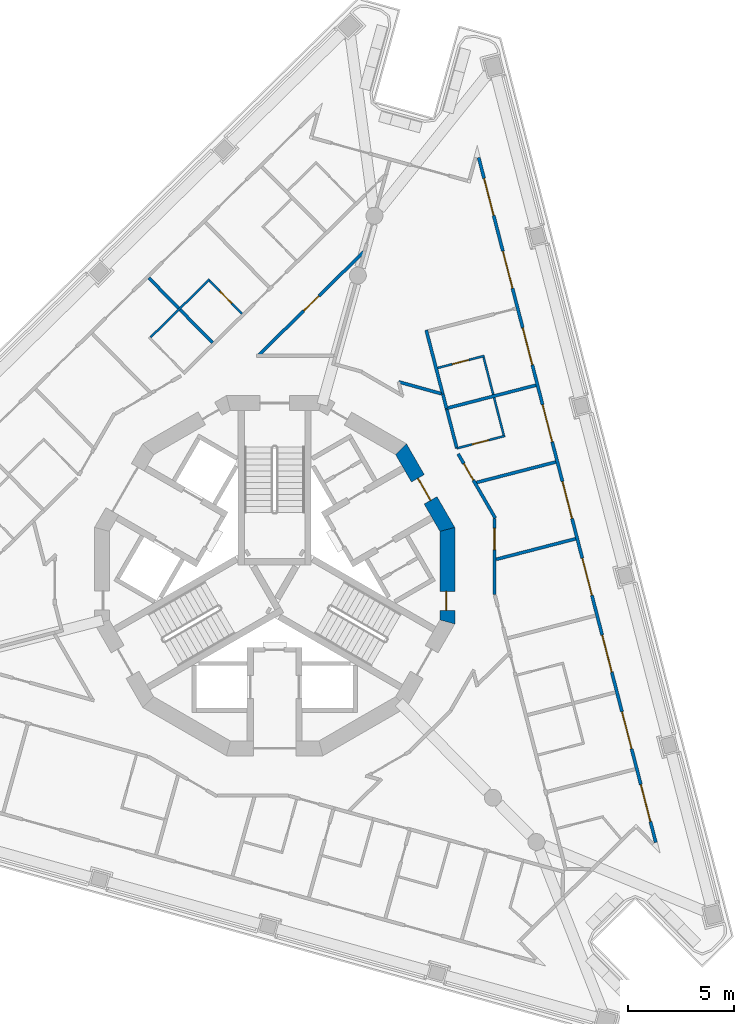
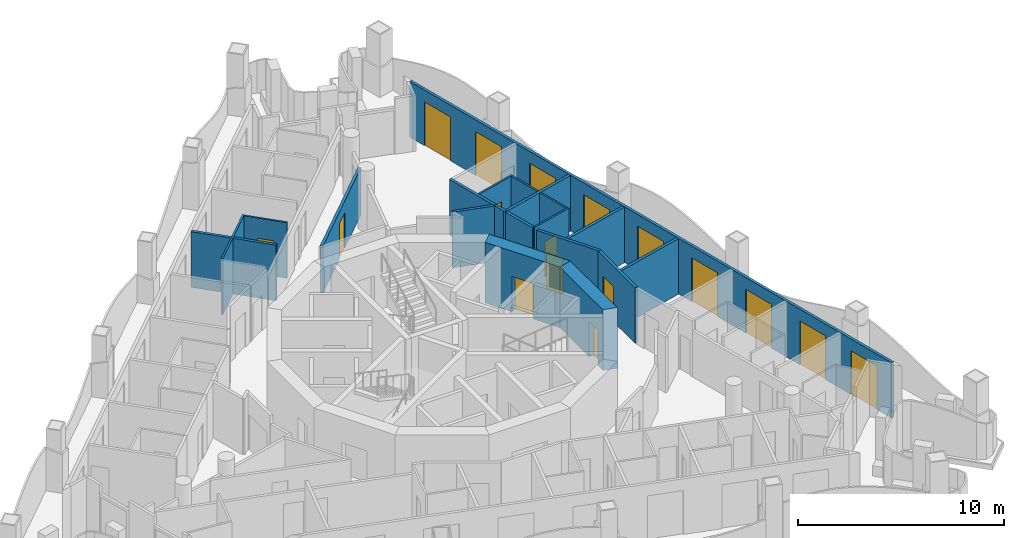
# One storey, part 7 of 14: 20 walls, 17 doors, 17 openings.
"""IFC4 building model written with IfcOpenShell, lengths in metres."""

import ifcopenshell
import ifcopenshell.guid

model = None  # the IFC model being written
_history = None  # IfcOwnerHistory: only IFC2X3 demands one
_inside = {}  # id of a spatial element -> (the spatial element, [elements in it])
_under = {}  # id of a project, library or spatial element -> (it, [spatial elements below it])
_declared = {}  # id of a project -> (the project, [libraries it declares])
_typed = {}  # id of a type object -> (the type object, [elements of that type])
_made_of = {}  # id of a material, layer set ... -> (it, [elements and type objects made of it])


def new_model(schema):
    """Start an empty IFC model of exactly this schema.

    Asked for "IFC4X3", IfcOpenShell would pick the latest addendum, in which some entities
    have other attributes; the version numbers below select the first issue.
    IFC2X3 requires an IfcOwnerHistory on every rooted entity: one is made here for all.
    """
    global model, _history
    if schema == "IFC4X3":
        model = ifcopenshell.file(schema_version=(4, 3, 0, 0))
    else:
        model = ifcopenshell.file(schema=schema)
    _inside.clear()
    _under.clear()
    _declared.clear()
    _typed.clear()
    _made_of.clear()
    _history = None
    if model.schema == "IFC2X3":
        org = make("IfcOrganization", Name="unknown")
        user = make(
            "IfcPersonAndOrganization",
            ThePerson=make("IfcPerson", FamilyName="unknown"),
            TheOrganization=org,
        )
        app = make(
            "IfcApplication",
            ApplicationDeveloper=org,
            Version="unknown",
            ApplicationFullName="unknown",
            ApplicationIdentifier="unknown",
        )
        _history = make(
            "IfcOwnerHistory",
            OwningUser=user,
            OwningApplication=app,
            ChangeAction="ADDED",
            CreationDate=0,
        )
    return model


def make(cls, **values):
    """One entity of the class cls with the attributes given. An attribute that is None is left unset."""
    return model.create_entity(
        cls, **{name: value for name, value in values.items() if value is not None}
    )


def rooted(cls, **values):
    """An entity with a GlobalId (a new one), such as an element, a storey or a relation."""
    return make(cls, GlobalId=ifcopenshell.guid.new(), OwnerHistory=_history, **values)


def si_unit(unit_type, name, prefix=None):
    """IfcSIUnit, for example si_unit("LENGTHUNIT", "METRE", prefix="MILLI")."""
    return make("IfcSIUnit", UnitType=unit_type, Prefix=prefix, Name=name)


def assignment(units):
    """IfcUnitAssignment: the units of a project."""
    return None if units is None else make("IfcUnitAssignment", Units=units)


def point(xyz):
    """IfcCartesianPoint."""
    return None if xyz is None else make("IfcCartesianPoint", Coordinates=xyz)


def direction(xyz):
    """IfcDirection."""
    return None if xyz is None else make("IfcDirection", DirectionRatios=xyz)


def frame(location, z_axis=None, x_axis=None):
    """IfcAxis2Placement3D, a coordinate frame: its origin and axes. An axis left out is left unset."""
    return make(
        "IfcAxis2Placement3D",
        Location=point(location),
        Axis=direction(z_axis),
        RefDirection=direction(x_axis),
    )


def frame_2d(location, x_axis=None):
    """IfcAxis2Placement2D, a coordinate frame in the plane: its origin and x axis."""
    return make(
        "IfcAxis2Placement2D", Location=point(location), RefDirection=direction(x_axis)
    )


def origin():
    """The frame at (0, 0, 0) with its axes left unset."""
    return frame((0.0, 0.0, 0.0))


def place(relative_to, where):
    """IfcLocalPlacement: puts the frame where relative to a parent placement (None: the world)."""
    return make(
        "IfcLocalPlacement", PlacementRelTo=relative_to, RelativePlacement=where
    )


def context(
    kind, dimensions, precision=None, world=None, true_north=None, identifier=None
):
    """IfcGeometricRepresentationContext, for example the 3D "Model" context."""
    return make(
        "IfcGeometricRepresentationContext",
        ContextIdentifier=identifier,
        ContextType=kind,
        CoordinateSpaceDimension=dimensions,
        Precision=precision,
        WorldCoordinateSystem=world,
        TrueNorth=true_north,
    )


def subcontext(parent, identifier, kind, view, scale=None):
    """IfcGeometricRepresentationSubContext, for example "Body" below "Model"."""
    return make(
        "IfcGeometricRepresentationSubContext",
        ContextIdentifier=identifier,
        ContextType=kind,
        ParentContext=parent,
        TargetScale=scale,
        TargetView=view,
    )


def project(units=None, contexts=None):
    """IfcProject with its units and contexts."""
    return rooted(
        "IfcProject",
        Name="project",
        RepresentationContexts=contexts,
        UnitsInContext=assignment(units),
    )


def spatial(cls, under=None, at=None, **own):
    """A site, building, storey or space (cls), placed at a placement, below another one or the project."""
    s = rooted(cls, ObjectPlacement=at, **own)
    if under is not None:
        _under.setdefault(under.id(), (under, []))[1].append(s)
    return s


def polyline(points):
    """IfcPolyline through the points."""
    return make("IfcPolyline", Points=[point(p) for p in points])


def profile(cls, at=None, kind="AREA", **sizes):
    """A parametric profile (cls). Its sizes go by their IFC names, for example OverallWidth=200.0."""
    return make(cls, ProfileType=kind, Position=at, **sizes)


def rectangle(**sizes):
    """IfcRectangleProfileDef."""
    return profile("IfcRectangleProfileDef", **sizes)


def outline(outer, holes=None, kind="AREA"):
    """IfcArbitraryClosedProfileDef: a profile drawn as a closed curve; with holes, ...WithVoids."""
    if holes is None:
        return make("IfcArbitraryClosedProfileDef", ProfileType=kind, OuterCurve=outer)
    return make(
        "IfcArbitraryProfileDefWithVoids",
        ProfileType=kind,
        OuterCurve=outer,
        InnerCurves=holes,
    )


def extrude(swept, where, along, depth):
    """IfcExtrudedAreaSolid: the profile swept, set in the frame where, extruded along a direction by depth."""
    return make(
        "IfcExtrudedAreaSolid",
        SweptArea=swept,
        Position=where,
        ExtrudedDirection=direction(along),
        Depth=depth,
    )


def shape(context_of_items, identifier, shape_type, items):
    """IfcShapeRepresentation: the items that make up one representation, for example the "Body"."""
    return make(
        "IfcShapeRepresentation",
        ContextOfItems=context_of_items,
        RepresentationIdentifier=identifier,
        RepresentationType=shape_type,
        Items=items,
    )


def material(Name=None, Category=None):
    """IfcMaterial."""
    return make("IfcMaterial", Name=Name, Category=Category)


def layer(
    of_material, thickness, ventilated=None, Name=None, Category=None, Priority=None
):
    """IfcMaterialLayer: one layer of a wall or slab, of a material (None: an air gap)."""
    return make(
        "IfcMaterialLayer",
        Material=of_material,
        LayerThickness=thickness,
        IsVentilated=ventilated,
        Name=Name,
        Category=Category,
        Priority=Priority,
    )


def layer_set(layers, Name=None):
    """IfcMaterialLayerSet."""
    return make("IfcMaterialLayerSet", MaterialLayers=layers, LayerSetName=Name)


def made_of(thing, what):
    """Note that an element or type object is made of a material, layer set ...; save() writes the relation."""
    if what is not None:
        _made_of.setdefault(what.id(), (what, []))[1].append(thing)
    return thing


def type_object(cls, material=None, **own):
    """A type object (cls), such as IfcWallType, which elements share."""
    return made_of(rooted(cls, **own), material)


def element(
    cls,
    number,
    at=None,
    inside=None,
    cuts=None,
    type_object=None,
    material=None,
    context=None,
    identifier="Body",
    shape_type=None,
    held_by="IfcProductDefinitionShape",
    body=None,
    shapes=None,
    **own,
):
    """One element of the class cls, such as IfcWall. Its Tag is "e" and its number.

    at: its placement. inside: the storey or other place that contains it. cuts: it is an
    opening in that element (IfcRelVoidsElement). A single representation is given by context,
    identifier, shape_type and body (its items); several are given by shapes. held_by: the class
    of the entity that holds the representations. save() writes the other relations.
    """
    e = rooted(cls, Tag="e%d" % number, ObjectPlacement=at, **own)
    if body is not None:
        shapes = [shape(context, identifier, shape_type, body)]
    if shapes is not None:
        e.Representation = make(held_by, Representations=shapes)
    if inside is not None:
        _inside.setdefault(inside.id(), (inside, []))[1].append(e)
    if cuts is not None:
        rooted(
            "IfcRelVoidsElement", RelatingBuildingElement=cuts, RelatedOpeningElement=e
        )
    if type_object is not None:
        _typed.setdefault(type_object.id(), (type_object, []))[1].append(e)
    return made_of(e, material)


def fill(opening, filler):
    """IfcRelFillsElement: the door or window that sits in an opening."""
    return rooted(
        "IfcRelFillsElement",
        RelatingOpeningElement=opening,
        RelatedBuildingElement=filler,
    )


def aggregate(whole, parts):
    """IfcRelAggregates: a whole, such as a stair, and the parts it consists of."""
    return rooted("IfcRelAggregates", RelatingObject=whole, RelatedObjects=parts)


def save(model, path):
    """Write the relations noted so far, then the file.

    IfcRelAggregates (storeys below a building ...), IfcRelContainedInSpatialStructure (elements
    in a storey), IfcRelDefinesByType, IfcRelAssociatesMaterial and IfcRelDeclares: one each for
    every whole, place, type object, material and project.
    """
    for whole, parts in _under.values():
        aggregate(whole, parts)
    for where, things in _inside.values():
        rooted(
            "IfcRelContainedInSpatialStructure",
            RelatedElements=things,
            RelatingStructure=where,
        )
    for kind, things in _typed.values():
        rooted("IfcRelDefinesByType", RelatedObjects=things, RelatingType=kind)
    for what, things in _made_of.values():
        rooted("IfcRelAssociatesMaterial", RelatedObjects=things, RelatingMaterial=what)
    for by, libraries in _declared.values():
        rooted("IfcRelDeclares", RelatingContext=by, RelatedDefinitions=libraries)
    model.write(path)


model = new_model("IFC4")

# Units and contexts
model_context = context("Model", 3, precision=1e-05, world=origin(), true_north=direction((0.0, 1.0)))
body_context = subcontext(model_context, "Body", "Model", "MODEL_VIEW")
ifc_project = project(units=[si_unit("LENGTHUNIT", "METRE"), si_unit("AREAUNIT", "SQUARE_METRE"), si_unit("VOLUMEUNIT", "CUBIC_METRE"), si_unit("PLANEANGLEUNIT", "RADIAN"), si_unit("MASSUNIT", "GRAM", prefix="KILO")], contexts=[model_context])

# Site, building, storey
site_placement = place(None, origin())
site = spatial("IfcSite", under=ifc_project, at=site_placement, CompositionType="ELEMENT")
building_placement = place(site_placement, origin())
building = spatial("IfcBuilding", under=site, at=building_placement, Name="Trine Commons Tower", CompositionType="ELEMENT")
storey_placement = place(building_placement, frame((0.0, 0.0, 242.10009765625)))
storey = spatial("IfcBuildingStorey", under=building, at=storey_placement, Name="L63", CompositionType="ELEMENT", Elevation=242.10009765625)

# Wall, openings, doors
ifc_material_1 = material(Name="Aluminium-framed insulated wall panel", Category="aluminium")
ifc_layer_1 = layer(ifc_material_1, 0.14990234375)
ifc_layer_set_1 = layer_set([ifc_layer_1], Name="Aluminium-framed insulated wall panel")
wall_type_1 = type_object("IfcWallType", Name="Glazed frame wall 150, EI 60", PredefinedType="SOLIDWALL", material=ifc_layer_set_1)
wall_1_placement = place(storey_placement, frame((89.59130859375, 82.377685546875, 0.0), z_axis=(0.0, 0.0, 1.0), x_axis=(0.250378839788, -0.968147941477, 0.0)))
wall_1 = element("IfcWall", 1, at=wall_1_placement, inside=storey, type_object=wall_type_1, Name="Glazed frame wall F2", PredefinedType="SOLIDWALL", context=body_context, shape_type="SweptSolid", body=[
    extrude(outline(polyline([(0.1494140625, 0.074951171875), (0.1494140625, -0.074951171875), (33.536865234375, -0.074951171875), (33.536865234375, 0.074951171875), (0.1494140625, 0.074951171875)])), origin(), (0.0, 0.0, 1.0), 3.2998046875),
])
opening_1_placement = place(wall_1_placement, frame((1.17138671875, 0.0, 0.0)))
opening_1 = element("IfcOpeningElement", 2, at=opening_1_placement, cuts=wall_1, Name="Opening BD-7F2-01", PredefinedType="OPENING", context=body_context, shape_type="SweptSolid", body=[
    extrude(rectangle(XDim=1.800048828125, YDim=2.60009765625, at=frame_2d((0.89990234375, 1.300048828125))), frame((0.0, 0.0849609375, 0.0), z_axis=(0.0, -1.0, 0.0), x_axis=(1.0, 0.0, 0.0)), (0.0, 0.0, 1.0), 0.169921875),
])
opening_2_placement = place(wall_1_placement, frame((4.71435546875, 0.0, 0.0)))
opening_2 = element("IfcOpeningElement", 3, at=opening_2_placement, cuts=wall_1, Name="Opening BD-7F2-02", PredefinedType="OPENING", context=body_context, shape_type="SweptSolid", body=[
    extrude(rectangle(XDim=1.800048828125, YDim=2.60009765625, at=frame_2d((0.89990234375, 1.300048828125))), frame((0.0, 0.0849609375, 0.0), z_axis=(0.0, -1.0, 0.0), x_axis=(1.0, 0.0, 0.0)), (0.0, 0.0, 1.0), 0.169921875),
])
opening_3_placement = place(wall_1_placement, frame((8.457275390625, 0.0, 0.0)))
opening_3 = element("IfcOpeningElement", 4, at=opening_3_placement, cuts=wall_1, Name="Opening BD-7F2-03", PredefinedType="OPENING", context=body_context, shape_type="SweptSolid", body=[
    extrude(rectangle(XDim=1.800048828125, YDim=2.60009765625, at=frame_2d((0.89990234375, 1.300048828125))), frame((0.0, 0.0849609375, 0.0), z_axis=(0.0, -1.0, 0.0), x_axis=(1.0, 0.0, 0.0)), (0.0, 0.0, 1.0), 0.169921875),
])
opening_4_placement = place(wall_1_placement, frame((12.2001953125, 0.0, 0.0)))
opening_4 = element("IfcOpeningElement", 5, at=opening_4_placement, cuts=wall_1, Name="Opening BD-7F2-04", PredefinedType="OPENING", context=body_context, shape_type="SweptSolid", body=[
    extrude(rectangle(XDim=1.800048828125, YDim=2.60009765625, at=frame_2d((0.89990234375, 1.300048828125))), frame((0.0, 0.0849609375, 0.0), z_axis=(0.0, -1.0, 0.0), x_axis=(1.0, 0.0, 0.0)), (0.0, 0.0, 1.0), 0.169921875),
])
opening_5_placement = place(wall_1_placement, frame((15.943115234375, 0.0, 0.0)))
opening_5 = element("IfcOpeningElement", 6, at=opening_5_placement, cuts=wall_1, Name="Opening BD-7F2-05", PredefinedType="OPENING", context=body_context, shape_type="SweptSolid", body=[
    extrude(rectangle(XDim=1.800048828125, YDim=2.60009765625, at=frame_2d((0.89990234375, 1.300048828125))), frame((0.0, 0.0849609375, 0.0), z_axis=(0.0, -1.0, 0.0), x_axis=(1.0, 0.0, 0.0)), (0.0, 0.0, 1.0), 0.169921875),
])
opening_6_placement = place(wall_1_placement, frame((19.68603515625, 0.0, 0.0)))
opening_6 = element("IfcOpeningElement", 7, at=opening_6_placement, cuts=wall_1, Name="Opening BD-7F2-06", PredefinedType="OPENING", context=body_context, shape_type="SweptSolid", body=[
    extrude(rectangle(XDim=1.800048828125, YDim=2.60009765625, at=frame_2d((0.89990234375, 1.300048828125))), frame((0.0, 0.0849609375, 0.0), z_axis=(0.0, -1.0, 0.0), x_axis=(1.0, 0.0, 0.0)), (0.0, 0.0, 1.0), 0.169921875),
])
opening_7_placement = place(wall_1_placement, frame((23.428955078125, 0.0, 0.0)))
opening_7 = element("IfcOpeningElement", 8, at=opening_7_placement, cuts=wall_1, Name="Opening BD-7F2-07", PredefinedType="OPENING", context=body_context, shape_type="SweptSolid", body=[
    extrude(rectangle(XDim=1.800048828125, YDim=2.60009765625, at=frame_2d((0.89990234375, 1.300048828125))), frame((0.0, 0.0849609375, 0.0), z_axis=(0.0, -1.0, 0.0), x_axis=(1.0, 0.0, 0.0)), (0.0, 0.0, 1.0), 0.169921875),
])
opening_8_placement = place(wall_1_placement, frame((27.171875, 0.0, 0.0)))
opening_8 = element("IfcOpeningElement", 9, at=opening_8_placement, cuts=wall_1, Name="Opening BD-7F2-08", PredefinedType="OPENING", context=body_context, shape_type="SweptSolid", body=[
    extrude(rectangle(XDim=1.800048828125, YDim=2.60009765625, at=frame_2d((0.89990234375, 1.300048828125))), frame((0.0, 0.0849609375, 0.0), z_axis=(0.0, -1.0, 0.0), x_axis=(1.0, 0.0, 0.0)), (0.0, 0.0, 1.0), 0.169921875),
])
opening_9_placement = place(wall_1_placement, frame((30.714599609375, 0.0, 0.0)))
opening_9 = element("IfcOpeningElement", 10, at=opening_9_placement, cuts=wall_1, Name="Opening BD-7F2-09", PredefinedType="OPENING", context=body_context, shape_type="SweptSolid", body=[
    extrude(rectangle(XDim=1.800048828125, YDim=2.60009765625, at=frame_2d((0.89990234375, 1.300048828125))), frame((0.0, 0.0849609375, 0.0), z_axis=(0.0, -1.0, 0.0), x_axis=(1.0, 0.0, 0.0)), (0.0, 0.0, 1.0), 0.169921875),
])
ifc_material_2 = material(Name="Anodised aluminium frame with double glazing", Category="aluminium")
door_type_1 = type_object("IfcDoorType", Name="Sliding loggia door 1800x2600", OperationType="SLIDING_TO_LEFT", PredefinedType="DOOR", material=ifc_material_2)
door_1_placement = place(opening_1_placement, origin())
door_1 = element("IfcDoor", 11, at=door_1_placement, inside=storey, type_object=door_type_1, Name="Loggia door F2 1", OperationType="SLIDING_TO_LEFT", OverallHeight=2.60009765625, OverallWidth=1.800048828125, PredefinedType="DOOR", context=body_context, shape_type="SweptSolid", body=[
    extrude(rectangle(XDim=1.800048828125, YDim=2.60009765625, at=frame_2d((0.89990234375, 1.300048828125))), frame((0.0, 0.02490234375, 0.0), z_axis=(0.0, -1.0, 0.0), x_axis=(1.0, 0.0, 0.0)), (0.0, 0.0, 1.0), 0.050048828125),
])
fill(opening_1, door_1)
door_2_placement = place(opening_2_placement, origin())
door_2 = element("IfcDoor", 12, at=door_2_placement, inside=storey, type_object=door_type_1, Name="Loggia door F2 2", OperationType="SLIDING_TO_LEFT", OverallHeight=2.60009765625, OverallWidth=1.800048828125, PredefinedType="DOOR", context=body_context, shape_type="SweptSolid", body=[
    extrude(rectangle(XDim=1.800048828125, YDim=2.60009765625, at=frame_2d((0.89990234375, 1.300048828125))), frame((0.0, 0.02490234375, 0.0), z_axis=(0.0, -1.0, 0.0), x_axis=(1.0, 0.0, 0.0)), (0.0, 0.0, 1.0), 0.050048828125),
])
fill(opening_2, door_2)
door_3_placement = place(opening_3_placement, origin())
door_3 = element("IfcDoor", 13, at=door_3_placement, inside=storey, type_object=door_type_1, Name="Loggia door F2 3", OperationType="SLIDING_TO_LEFT", OverallHeight=2.60009765625, OverallWidth=1.800048828125, PredefinedType="DOOR", context=body_context, shape_type="SweptSolid", body=[
    extrude(rectangle(XDim=1.800048828125, YDim=2.60009765625, at=frame_2d((0.89990234375, 1.300048828125))), frame((0.0, 0.02490234375, 0.0), z_axis=(0.0, -1.0, 0.0), x_axis=(1.0, 0.0, 0.0)), (0.0, 0.0, 1.0), 0.050048828125),
])
fill(opening_3, door_3)
door_4_placement = place(opening_4_placement, origin())
door_4 = element("IfcDoor", 14, at=door_4_placement, inside=storey, type_object=door_type_1, Name="Loggia door F2 4", OperationType="SLIDING_TO_LEFT", OverallHeight=2.60009765625, OverallWidth=1.800048828125, PredefinedType="DOOR", context=body_context, shape_type="SweptSolid", body=[
    extrude(rectangle(XDim=1.800048828125, YDim=2.60009765625, at=frame_2d((0.89990234375, 1.300048828125))), frame((0.0, 0.02490234375, 0.0), z_axis=(0.0, -1.0, 0.0), x_axis=(1.0, 0.0, 0.0)), (0.0, 0.0, 1.0), 0.050048828125),
])
fill(opening_4, door_4)
door_5_placement = place(opening_5_placement, origin())
door_5 = element("IfcDoor", 15, at=door_5_placement, inside=storey, type_object=door_type_1, Name="Loggia door F2 5", OperationType="SLIDING_TO_LEFT", OverallHeight=2.60009765625, OverallWidth=1.800048828125, PredefinedType="DOOR", context=body_context, shape_type="SweptSolid", body=[
    extrude(rectangle(XDim=1.800048828125, YDim=2.60009765625, at=frame_2d((0.89990234375, 1.300048828125))), frame((0.0, 0.02490234375, 0.0), z_axis=(0.0, -1.0, 0.0), x_axis=(1.0, 0.0, 0.0)), (0.0, 0.0, 1.0), 0.050048828125),
])
fill(opening_5, door_5)
door_6_placement = place(opening_6_placement, origin())
door_6 = element("IfcDoor", 16, at=door_6_placement, inside=storey, type_object=door_type_1, Name="Loggia door F2 6", OperationType="SLIDING_TO_LEFT", OverallHeight=2.60009765625, OverallWidth=1.800048828125, PredefinedType="DOOR", context=body_context, shape_type="SweptSolid", body=[
    extrude(rectangle(XDim=1.800048828125, YDim=2.60009765625, at=frame_2d((0.89990234375, 1.300048828125))), frame((0.0, 0.02490234375, 0.0), z_axis=(0.0, -1.0, 0.0), x_axis=(1.0, 0.0, 0.0)), (0.0, 0.0, 1.0), 0.050048828125),
])
fill(opening_6, door_6)
door_7_placement = place(opening_7_placement, origin())
door_7 = element("IfcDoor", 17, at=door_7_placement, inside=storey, type_object=door_type_1, Name="Loggia door F2 7", OperationType="SLIDING_TO_LEFT", OverallHeight=2.60009765625, OverallWidth=1.800048828125, PredefinedType="DOOR", context=body_context, shape_type="SweptSolid", body=[
    extrude(rectangle(XDim=1.800048828125, YDim=2.60009765625, at=frame_2d((0.89990234375, 1.300048828125))), frame((0.0, 0.02490234375, 0.0), z_axis=(0.0, -1.0, 0.0), x_axis=(1.0, 0.0, 0.0)), (0.0, 0.0, 1.0), 0.050048828125),
])
fill(opening_7, door_7)
door_8_placement = place(opening_8_placement, origin())
door_8 = element("IfcDoor", 18, at=door_8_placement, inside=storey, type_object=door_type_1, Name="Loggia door F2 8", OperationType="SLIDING_TO_LEFT", OverallHeight=2.60009765625, OverallWidth=1.800048828125, PredefinedType="DOOR", context=body_context, shape_type="SweptSolid", body=[
    extrude(rectangle(XDim=1.800048828125, YDim=2.60009765625, at=frame_2d((0.89990234375, 1.300048828125))), frame((0.0, 0.02490234375, 0.0), z_axis=(0.0, -1.0, 0.0), x_axis=(1.0, 0.0, 0.0)), (0.0, 0.0, 1.0), 0.050048828125),
])
fill(opening_8, door_8)
door_9_placement = place(opening_9_placement, origin())
door_9 = element("IfcDoor", 19, at=door_9_placement, inside=storey, type_object=door_type_1, Name="Loggia door F2 9", OperationType="SLIDING_TO_LEFT", OverallHeight=2.60009765625, OverallWidth=1.800048828125, PredefinedType="DOOR", context=body_context, shape_type="SweptSolid", body=[
    extrude(rectangle(XDim=1.800048828125, YDim=2.60009765625, at=frame_2d((0.89990234375, 1.300048828125))), frame((0.0, 0.02490234375, 0.0), z_axis=(0.0, -1.0, 0.0), x_axis=(1.0, 0.0, 0.0)), (0.0, 0.0, 1.0), 0.050048828125),
])
fill(opening_9, door_9)

# Wall, opening, door
ifc_material_3 = material(Name="Concrete C50/60", Category="concrete")
ifc_layer_2 = layer(ifc_material_3, 0.699951171875)
ifc_layer_set_2 = layer_set([ifc_layer_2], Name="Concrete C50/60")
wall_type_2 = type_object("IfcWallType", Name="RC shear wall 700 mm, C50/60", PredefinedType="SHEAR", material=ifc_layer_set_2)
wall_2_placement = place(storey_placement, frame((88.150146484375, 60.222412109375, 0.0), z_axis=(0.0, 0.0, 1.0), x_axis=(0.0, 1.0, 0.0)))
wall_2 = element("IfcWall", 20, at=wall_2_placement, inside=storey, type_object=wall_type_2, Name="Core wall CWG-01 L63", PredefinedType="SHEAR", context=body_context, shape_type="SweptSolid", body=[
    extrude(outline(polyline([(0.0, -0.35009765625), (4.55517578125, -0.35009765625), (4.36767578125, 0.35009765625), (0.1875, 0.35009765625), (0.0, -0.35009765625)])), origin(), (0.0, 0.0, 1.0), 3.599853515625),
])
opening_10_placement = place(wall_2_placement, frame((0.6416015625, 0.0, 0.0)))
opening_10 = element("IfcOpeningElement", 21, at=opening_10_placement, cuts=wall_2, Name="Opening K15.17", PredefinedType="OPENING", context=body_context, shape_type="SweptSolid", body=[
    extrude(rectangle(XDim=0.89990234375, YDim=2.10009765625, at=frame_2d((0.449951171875, 1.050048828125))), frame((0.0, 0.35986328125, 0.0), z_axis=(0.0, -1.0, 0.0), x_axis=(1.0, 0.0, 0.0)), (0.0, 0.0, 1.0), 0.719970703125),
])
ifc_material_4 = material(Name="Steel door leaf, fire-rated", Category="steel")
door_type_2 = type_object("IfcDoorType", Name="Core room door, single leaf 900 x 2100, FD30S", OperationType="SINGLE_SWING_LEFT", PredefinedType="DOOR", material=ifc_material_4)
door_10_placement = place(opening_10_placement, origin())
door_10 = element("IfcDoor", 22, at=door_10_placement, inside=storey, type_object=door_type_2, Name="Door to Core WC L63", OperationType="SINGLE_SWING_LEFT", OverallHeight=2.10009765625, OverallWidth=0.89990234375, PredefinedType="DOOR", context=body_context, shape_type="SweptSolid", body=[
    extrude(rectangle(XDim=0.89990234375, YDim=2.10009765625, at=frame_2d((0.449951171875, 1.050048828125))), frame((0.0, 0.0751953125, 0.0), z_axis=(0.0, -1.0, 0.0), x_axis=(1.0, 0.0, 0.0)), (0.0, 0.0, 1.0), 0.050048828125),
])
fill(opening_10, door_10)

wall_3_placement = place(storey_placement, frame((88.197021484375, 64.6025390625, 0.0), z_axis=(0.0, 0.0, 1.0), x_axis=(-0.499983800959, 0.866034756103, 0.0)))
wall_3 = element("IfcWall", 23, at=wall_3_placement, inside=storey, type_object=wall_type_2, Name="Core wall CWG-02 L63", PredefinedType="SHEAR", context=body_context, shape_type="SweptSolid", body=[
    extrude(outline(polyline([(0.0, -0.35009765625), (4.55517578125, -0.35009765625), (4.36767578125, 0.35009765625), (0.1875, 0.35009765625), (0.0, -0.35009765625)])), origin(), (0.0, 0.0, 1.0), 3.599853515625),
])
opening_11_placement = place(wall_3_placement, frame((1.677490234375, 0.0, 0.0)))
opening_11 = element("IfcOpeningElement", 24, at=opening_11_placement, cuts=wall_3, Name="Opening K15.04", PredefinedType="OPENING", context=body_context, shape_type="SweptSolid", body=[
    extrude(rectangle(XDim=1.199951171875, YDim=2.10009765625, at=frame_2d((0.60009765625, 1.050048828125))), frame((0.0, 0.35986328125, 0.0), z_axis=(0.0, -1.0, 0.0), x_axis=(1.0, 0.0, 0.0)), (0.0, 0.0, 1.0), 0.719970703125),
])
ifc_material_5 = material(Name="Steel door leaves, fire-rated", Category="steel")
door_type_3 = type_object("IfcDoorType", Name="Lobby door, double leaf 1200 x 2100, FD60", OperationType="DOUBLE_DOOR_SINGLE_SWING", PredefinedType="DOOR", material=ifc_material_5)
door_11_placement = place(opening_11_placement, origin())
door_11 = element("IfcDoor", 25, at=door_11_placement, inside=storey, type_object=door_type_3, Name="Lobby door, Core lounge L63", OperationType="DOUBLE_DOOR_SINGLE_SWING", OverallHeight=2.10009765625, OverallWidth=1.199951171875, PredefinedType="DOOR", context=body_context, shape_type="SweptSolid", body=[
    extrude(rectangle(XDim=1.199951171875, YDim=2.10009765625, at=frame_2d((0.60009765625, 1.050048828125))), frame((0.0, 0.02490234375, 0.0), z_axis=(0.0, -1.0, 0.0), x_axis=(1.0, 0.0, 0.0)), (0.0, 0.0, 1.0), 0.050048828125),
])
fill(opening_11, door_11)

# Wall
ifc_material_6 = material(Name="Gypsum plasterboard on steel stud", Category="steel")
ifc_layer_3 = layer(ifc_material_6, 0.14990234375)
ifc_layer_set_3 = layer_set([ifc_layer_3], Name="Gypsum plasterboard on steel stud")
wall_type_3 = type_object("IfcWallType", Name="Unit and corridor wall 150 mm, EI 60", PredefinedType="PARTITIONING", material=ifc_layer_set_3)
wall_4_placement = place(storey_placement, frame((74.06005859375, 76.554443359375, 0.0), z_axis=(0.0, 0.0, 1.0), x_axis=(0.70095501421, -0.713205487958, 0.0)))
element("IfcWall", 26, at=wall_4_placement, inside=storey, type_object=wall_type_3, Name="Partition 036", PredefinedType="PARTITIONING", context=body_context, shape_type="SweptSolid", body=[
    extrude(rectangle(XDim=4.28466796875, YDim=0.14990234375, at=frame_2d((2.142333984375, 0.0))), origin(), (0.0, 0.0, 1.0), 3.2998046875),
])

# Wall, opening, door
wall_5_placement = place(storey_placement, frame((79.265380859375, 72.927490234375, 0.0), z_axis=(0.0, 0.0, 1.0), x_axis=(0.713171352484, 0.700989744572, 0.0)))
wall_5 = element("IfcWall", 27, at=wall_5_placement, inside=storey, type_object=wall_type_3, Name="Partition 050", PredefinedType="PARTITIONING", context=body_context, shape_type="SweptSolid", body=[
    extrude(rectangle(XDim=6.914306640625, YDim=0.14990234375, at=frame_2d((3.45703125, 0.0))), origin(), (0.0, 0.0, 1.0), 2.7998046875),
])
opening_12_placement = place(wall_5_placement, frame((2.95703125, 0.0, 0.0)))
opening_12 = element("IfcOpeningElement", 28, at=opening_12_placement, cuts=wall_5, Name="Opening D-7A27", PredefinedType="OPENING", context=body_context, shape_type="SweptSolid", body=[
    extrude(rectangle(XDim=1.0, YDim=2.10009765625, at=frame_2d((0.5, 1.050048828125))), frame((0.0, 0.0849609375, 0.0), z_axis=(0.0, -1.0, 0.0), x_axis=(1.0, 0.0, 0.0)), (0.0, 0.0, 1.0), 0.169921875),
])
ifc_material_7 = material(Name="Painted timber", Category="wood")
door_type_4 = type_object("IfcDoorType", Name="Toilet door 1000 x 2100, NOT RATED", OperationType="NOTDEFINED", PredefinedType="DOOR", material=ifc_material_7)
door_12_placement = place(opening_12_placement, frame((1.0, 0.0, 0.0), z_axis=(0.0, 0.0, 1.0), x_axis=(-1.0, 0.0, 0.0)))
door_12 = element("IfcDoor", 29, at=door_12_placement, inside=storey, type_object=door_type_4, Name="Door D-7A27", OperationType="SINGLE_SWING_RIGHT", OverallHeight=2.10009765625, OverallWidth=1.0, PredefinedType="DOOR", context=body_context, shape_type="SweptSolid", body=[
    extrude(rectangle(XDim=1.0, YDim=2.10009765625, at=frame_2d((0.5, 1.050048828125))), frame((0.0, 0.02490234375, 0.0), z_axis=(0.0, -1.0, 0.0), x_axis=(1.0, 0.0, 0.0)), (0.0, 0.0, 1.0), 0.050048828125),
])
fill(opening_12, door_12)

# Walls
wall_6_placement = place(storey_placement, frame((85.85205078125, 71.64599609375, 0.0), z_axis=(0.0, 0.0, 1.0), x_axis=(0.963638385721, -0.267209770713, 0.0)))
element("IfcWall", 30, at=wall_6_placement, inside=storey, type_object=wall_type_3, Name="Partition 077", PredefinedType="PARTITIONING", context=body_context, shape_type="SweptSolid", body=[
    extrude(rectangle(XDim=2.088623046875, YDim=0.14990234375, at=frame_2d((1.04443359375, 0.0))), origin(), (0.0, 0.0, 1.0), 3.2998046875),
])
wall_7_placement = place(storey_placement, frame((87.1533203125, 74.092529296875, 0.0), z_axis=(0.0, 0.0, 1.0), x_axis=(0.250373987534, -0.968149196336, 0.0)))
element("IfcWall", 31, at=wall_7_placement, inside=storey, type_object=wall_type_3, Name="Partition 080", PredefinedType="PARTITIONING", context=body_context, shape_type="SweptSolid", body=[
    extrude(rectangle(XDim=3.126220703125, YDim=0.14990234375, at=frame_2d((1.56298828125, 0.0))), origin(), (0.0, 0.0, 1.0), 3.2998046875),
])
wall_8_placement = place(storey_placement, frame((87.93798828125, 71.06689453125, 0.0), z_axis=(0.0, 0.0, 1.0), x_axis=(0.250122032582, -0.968214319672, 0.0)))
element("IfcWall", 32, at=wall_8_placement, inside=storey, type_object=wall_type_3, Name="Partition 084", PredefinedType="PARTITIONING", context=body_context, shape_type="SweptSolid", body=[
    extrude(rectangle(XDim=0.696044921875, YDim=0.14990234375, at=frame_2d((0.34814453125, 0.0))), origin(), (0.0, 0.0, 1.0), 3.2998046875),
])
wall_9_placement = place(storey_placement, frame((88.036376953125, 70.377197265625, 0.0), z_axis=(0.0, 0.0, 1.0), x_axis=(0.968128504483, 0.25045398541, 0.0)))
element("IfcWall", 33, at=wall_9_placement, inside=storey, type_object=wall_type_3, Name="Partition 085", PredefinedType="PARTITIONING", context=body_context, shape_type="SweptSolid", body=[
    extrude(rectangle(XDim=4.435302734375, YDim=0.14990234375, at=frame_2d((2.2177734375, 0.0))), origin(), (0.0, 0.0, 1.0), 3.2998046875),
])
wall_10_placement = place(storey_placement, frame((88.12890625, 70.328369140625, 0.0), z_axis=(0.0, 0.0, 1.0), x_axis=(0.250183804331, -0.968198359868, 0.0)))
element("IfcWall", 34, at=wall_10_placement, inside=storey, type_object=wall_type_3, Name="Partition 086", PredefinedType="PARTITIONING", context=body_context, shape_type="SweptSolid", body=[
    extrude(rectangle(XDim=1.88330078125, YDim=0.14990234375, at=frame_2d((0.941650390625, 0.0))), origin(), (0.0, 0.0, 1.0), 3.2998046875),
])

# Wall, opening, door
wall_11_placement = place(storey_placement, frame((88.659912109375, 68.2490234375, 0.0), z_axis=(0.0, 0.0, 1.0), x_axis=(0.500223035479, -0.865896595891, 0.0)))
wall_11 = element("IfcWall", 35, at=wall_11_placement, inside=storey, type_object=wall_type_3, Name="Partition 089", PredefinedType="PARTITIONING", context=body_context, shape_type="SweptSolid", body=[
    extrude(rectangle(XDim=3.50390625, YDim=0.14990234375, at=frame_2d((1.751953125, 0.0))), origin(), (0.0, 0.0, 1.0), 3.2998046875),
])
opening_13_placement = place(wall_11_placement, frame((0.53369140625, 0.0, 0.0)))
opening_13 = element("IfcOpeningElement", 36, at=opening_13_placement, cuts=wall_11, Name="Opening D-7A13", PredefinedType="OPENING", context=body_context, shape_type="SweptSolid", body=[
    extrude(rectangle(XDim=0.89990234375, YDim=2.10009765625, at=frame_2d((0.449951171875, 1.050048828125))), frame((0.0, 0.0849609375, 0.0), z_axis=(0.0, -1.0, 0.0), x_axis=(1.0, 0.0, 0.0)), (0.0, 0.0, 1.0), 0.169921875),
])
ifc_material_8 = material(Name="Timber fire door set", Category="wood")
door_type_5 = type_object("IfcDoorType", Name="Bedroom door 900 x 2100, FD30S", OperationType="NOTDEFINED", PredefinedType="DOOR", material=ifc_material_8)
door_13_placement = place(opening_13_placement, origin())
door_13 = element("IfcDoor", 37, at=door_13_placement, inside=storey, type_object=door_type_5, Name="Door D-7A13", OperationType="SINGLE_SWING_LEFT", OverallHeight=2.10009765625, OverallWidth=0.89990234375, PredefinedType="DOOR", context=body_context, shape_type="SweptSolid", body=[
    extrude(rectangle(XDim=0.89990234375, YDim=2.10009765625, at=frame_2d((0.449951171875, 1.050048828125))), frame((0.0, 0.02490234375, 0.0), z_axis=(0.0, -1.0, 0.0), x_axis=(1.0, 0.0, 0.0)), (0.0, 0.0, 1.0), 0.050048828125),
])
fill(opening_13, door_13)

# Wall
wall_12_placement = place(storey_placement, frame((89.525634765625, 66.896728515625, 0.0), z_axis=(0.0, 0.0, 1.0), x_axis=(0.968171724996, 0.250286857264, 0.0)))
element("IfcWall", 38, at=wall_12_placement, inside=storey, type_object=wall_type_3, Name="Partition 092", PredefinedType="PARTITIONING", context=body_context, shape_type="SweptSolid", body=[
    extrude(rectangle(XDim=3.86474609375, YDim=0.14990234375, at=frame_2d((1.932373046875, 0.0))), origin(), (0.0, 0.0, 1.0), 3.2998046875),
])

# Wall, opening, door
wall_13_placement = place(storey_placement, frame((90.375, 61.616943359375, 0.0), z_axis=(0.0, 0.0, 1.0), x_axis=(0.0, 1.0, 0.0)))
wall_13 = element("IfcWall", 39, at=wall_13_placement, inside=storey, type_object=wall_type_3, Name="Partition 097", PredefinedType="PARTITIONING", context=body_context, shape_type="SweptSolid", body=[
    extrude(rectangle(XDim=3.588134765625, YDim=0.14990234375, at=frame_2d((1.7939453125, 0.0))), origin(), (0.0, 0.0, 1.0), 3.2998046875),
])
opening_14_placement = place(wall_13_placement, frame((2.110595703125, 0.0, 0.0)))
opening_14 = element("IfcOpeningElement", 40, at=opening_14_placement, cuts=wall_13, Name="Opening D-7A14", PredefinedType="OPENING", context=body_context, shape_type="SweptSolid", body=[
    extrude(rectangle(XDim=1.0, YDim=2.10009765625, at=frame_2d((0.5, 1.050048828125))), frame((0.0, 0.0849609375, 0.0), z_axis=(0.0, -1.0, 0.0), x_axis=(1.0, 0.0, 0.0)), (0.0, 0.0, 1.0), 0.169921875),
])
door_type_6 = type_object("IfcDoorType", Name="Amenity room door 1000 x 2100, NOT RATED", OperationType="NOTDEFINED", PredefinedType="DOOR", material=ifc_material_7)
door_14_placement = place(opening_14_placement, frame((1.0, 0.0, 0.0), z_axis=(0.0, 0.0, 1.0), x_axis=(-1.0, 0.0, 0.0)))
door_14 = element("IfcDoor", 41, at=door_14_placement, inside=storey, type_object=door_type_6, Name="Door D-7A14", OperationType="SINGLE_SWING_LEFT", OverallHeight=2.10009765625, OverallWidth=1.0, PredefinedType="DOOR", context=body_context, shape_type="SweptSolid", body=[
    extrude(rectangle(XDim=1.0, YDim=2.10009765625, at=frame_2d((0.5, 1.050048828125))), frame((0.0, 0.02490234375, 0.0), z_axis=(0.0, -1.0, 0.0), x_axis=(1.0, 0.0, 0.0)), (0.0, 0.0, 1.0), 0.050048828125),
])
fill(opening_14, door_14)

# Walls
wall_14_placement = place(storey_placement, frame((90.447509765625, 63.268798828125, 0.0), z_axis=(0.0, 0.0, 1.0), x_axis=(0.968111141553, 0.250521092128, 0.0)))
element("IfcWall", 42, at=wall_14_placement, inside=storey, type_object=wall_type_3, Name="Partition 098", PredefinedType="PARTITIONING", context=body_context, shape_type="SweptSolid", body=[
    extrude(rectangle(XDim=3.880615234375, YDim=0.14990234375, at=frame_2d((1.9404296875, 0.0))), origin(), (0.0, 0.0, 1.0), 3.2998046875),
])
ifc_layer_4 = layer(ifc_material_6, 0.10009765625)
ifc_layer_set_4 = layer_set([ifc_layer_4], Name="Gypsum plasterboard on steel stud")
wall_type_4 = type_object("IfcWallType", Name="Unit partition 100 mm, no rating", PredefinedType="PARTITIONING", material=ifc_layer_set_4)
wall_15_placement = place(storey_placement, frame((74.148681640625, 73.7529296875, 0.0), z_axis=(0.0, 0.0, 1.0), x_axis=(0.713214004819, 0.700946348396, 0.0)))
element("IfcWall", 43, at=wall_15_placement, inside=storey, type_object=wall_type_4, Name="Partition 039", PredefinedType="PARTITIONING", context=body_context, shape_type="SweptSolid", body=[
    extrude(rectangle(XDim=3.900634765625, YDim=0.10009765625, at=frame_2d((1.9501953125, 0.0))), origin(), (0.0, 0.0, 1.0), 3.2998046875),
])

# Wall, opening, door
wall_16_placement = place(storey_placement, frame((76.929931640625, 76.416259765625, 0.0), z_axis=(0.0, 0.0, 1.0), x_axis=(0.700793702446, -0.713363993073, 0.0)))
wall_16 = element("IfcWall", 44, at=wall_16_placement, inside=storey, type_object=wall_type_4, Name="Partition 045", PredefinedType="PARTITIONING", context=body_context, shape_type="SweptSolid", body=[
    extrude(rectangle(XDim=2.17529296875, YDim=0.10009765625, at=frame_2d((1.087646484375, 0.0))), origin(), (0.0, 0.0, 1.0), 3.2998046875),
])
opening_15_placement = place(wall_16_placement, frame((0.6875, 0.0, 0.0)))
opening_15 = element("IfcOpeningElement", 45, at=opening_15_placement, cuts=wall_16, Name="Opening D-7A32", PredefinedType="OPENING", context=body_context, shape_type="SweptSolid", body=[
    extrude(rectangle(XDim=0.800048828125, YDim=2.10009765625, at=frame_2d((0.39990234375, 1.050048828125))), frame((0.0, 0.06005859375, 0.0), z_axis=(0.0, -1.0, 0.0), x_axis=(1.0, 0.0, 0.0)), (0.0, 0.0, 1.0), 0.1201171875),
])
door_type_7 = type_object("IfcDoorType", Name="Internal door 800 x 2100, NOT RATED", OperationType="NOTDEFINED", PredefinedType="DOOR", material=ifc_material_7)
door_15_placement = place(opening_15_placement, origin())
door_15 = element("IfcDoor", 46, at=door_15_placement, inside=storey, type_object=door_type_7, Name="Door D-7A32", OperationType="SINGLE_SWING_LEFT", OverallHeight=2.10009765625, OverallWidth=0.800048828125, PredefinedType="DOOR", context=body_context, shape_type="SweptSolid", body=[
    extrude(rectangle(XDim=0.800048828125, YDim=2.10009765625, at=frame_2d((0.39990234375, 1.050048828125))), frame((0.0, 0.02490234375, 0.0), z_axis=(0.0, -1.0, 0.0), x_axis=(1.0, 0.0, 0.0)), (0.0, 0.0, 1.0), 0.050048828125),
])
fill(opening_15, door_15)

wall_17_placement = place(storey_placement, frame((87.693603515625, 72.302734375, 0.0), z_axis=(0.0, 0.0, 1.0), x_axis=(0.968107869502, 0.25053373627, 0.0)))
wall_17 = element("IfcWall", 47, at=wall_17_placement, inside=storey, type_object=wall_type_4, Name="Partition 082", PredefinedType="PARTITIONING", context=body_context, shape_type="SweptSolid", body=[
    extrude(rectangle(XDim=2.2744140625, YDim=0.10009765625, at=frame_2d((1.13720703125, 0.0))), origin(), (0.0, 0.0, 1.0), 3.2998046875),
])
opening_16_placement = place(wall_17_placement, frame((0.712158203125, 0.0, 0.0)))
opening_16 = element("IfcOpeningElement", 48, at=opening_16_placement, cuts=wall_17, Name="Opening D-7A35", PredefinedType="OPENING", context=body_context, shape_type="SweptSolid", body=[
    extrude(rectangle(XDim=0.800048828125, YDim=2.10009765625, at=frame_2d((0.39990234375, 1.050048828125))), frame((0.0, 0.06005859375, 0.0), z_axis=(0.0, -1.0, 0.0), x_axis=(1.0, 0.0, 0.0)), (0.0, 0.0, 1.0), 0.1201171875),
])
door_16_placement = place(opening_16_placement, origin())
door_16 = element("IfcDoor", 49, at=door_16_placement, inside=storey, type_object=door_type_7, Name="Door D-7A35", OperationType="SINGLE_SWING_LEFT", OverallHeight=2.10009765625, OverallWidth=0.800048828125, PredefinedType="DOOR", context=body_context, shape_type="SweptSolid", body=[
    extrude(rectangle(XDim=0.800048828125, YDim=2.10009765625, at=frame_2d((0.39990234375, 1.050048828125))), frame((0.0, 0.02490234375, 0.0), z_axis=(0.0, -1.0, 0.0), x_axis=(1.0, 0.0, 0.0)), (0.0, 0.0, 1.0), 0.050048828125),
])
fill(opening_16, door_16)

wall_18_placement = place(storey_placement, frame((88.596923828125, 68.508056640625, 0.0), z_axis=(0.0, 0.0, 1.0), x_axis=(0.968155594174, 0.250349246991, 0.0)))
wall_18 = element("IfcWall", 50, at=wall_18_placement, inside=storey, type_object=wall_type_4, Name="Partition 088", PredefinedType="PARTITIONING", context=body_context, shape_type="SweptSolid", body=[
    extrude(rectangle(XDim=2.350341796875, YDim=0.10009765625, at=frame_2d((1.17529296875, 0.0))), origin(), (0.0, 0.0, 1.0), 3.2998046875),
])
opening_17_placement = place(wall_18_placement, frame((0.75, 0.0, 0.0)))
opening_17 = element("IfcOpeningElement", 51, at=opening_17_placement, cuts=wall_18, Name="Opening D-7A36", PredefinedType="OPENING", context=body_context, shape_type="SweptSolid", body=[
    extrude(rectangle(XDim=0.800048828125, YDim=2.10009765625, at=frame_2d((0.39990234375, 1.050048828125))), frame((0.0, 0.06005859375, 0.0), z_axis=(0.0, -1.0, 0.0), x_axis=(1.0, 0.0, 0.0)), (0.0, 0.0, 1.0), 0.1201171875),
])
door_17_placement = place(opening_17_placement, frame((0.800048828125, 0.0, 0.0), z_axis=(0.0, 0.0, 1.0), x_axis=(-1.0, 0.0, 0.0)))
door_17 = element("IfcDoor", 52, at=door_17_placement, inside=storey, type_object=door_type_7, Name="Door D-7A36", OperationType="SINGLE_SWING_RIGHT", OverallHeight=2.10009765625, OverallWidth=0.800048828125, PredefinedType="DOOR", context=body_context, shape_type="SweptSolid", body=[
    extrude(rectangle(XDim=0.800048828125, YDim=2.10009765625, at=frame_2d((0.39990234375, 1.050048828125))), frame((0.0, 0.02490234375, 0.0), z_axis=(0.0, -1.0, 0.0), x_axis=(1.0, 0.0, 0.0)), (0.0, 0.0, 1.0), 0.050048828125),
])
fill(opening_17, door_17)

# Walls
for number, where, z_axis, x_axis, name in (
    (53, (89.859619140625, 72.8115234375, 0.0), (0.0, 0.0, 1.0), (0.250678968217, -0.968070273737, 0.0), "Partition 094"),
    (54, (90.354736328125, 70.8994140625, 0.0), (0.0, 0.0, 1.0), (0.250270413218, -0.968175975878, 0.0), "Partition 096"),
):
    element("IfcWall", number, at=place(storey_placement, frame(where, z_axis=z_axis, x_axis=x_axis)), inside=storey, type_object=wall_type_4, Name=name, PredefinedType="PARTITIONING", context=body_context, shape_type="SweptSolid", body=[
        extrude(rectangle(XDim=1.8251953125, YDim=0.10009765625, at=frame_2d((0.91259765625, 0.0))), origin(), (0.0, 0.0, 1.0), 3.2998046875),
    ])

save(model, "model.ifc")
